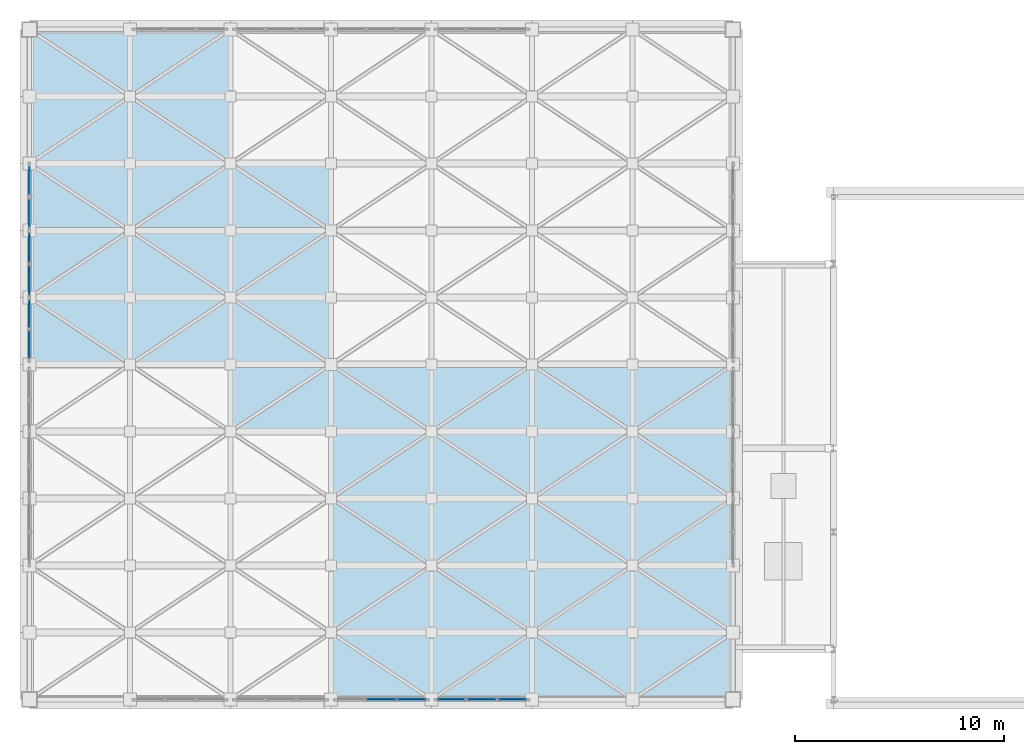
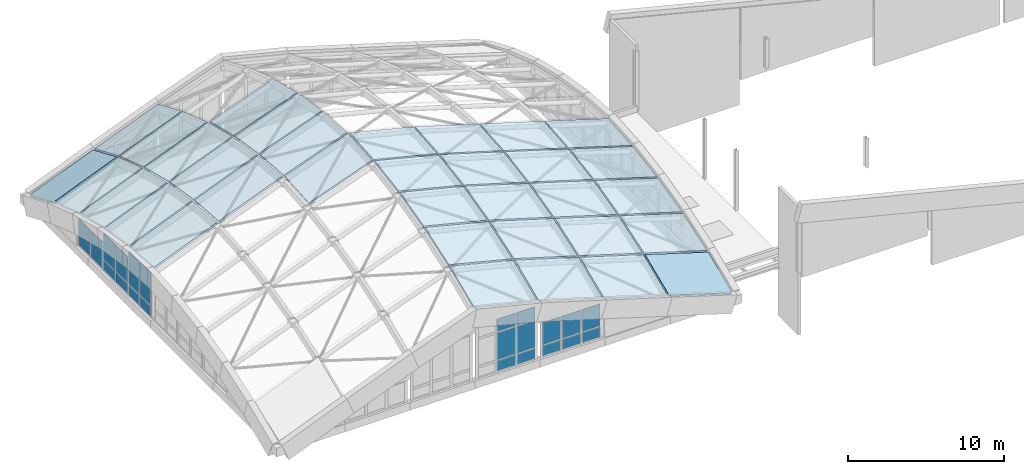
# One storey, part 10 of 14: 34 slabs, 22 plates, 5 elements without a shape of their own.
"""IFC4 building model written with IfcOpenShell, lengths in metres."""

from ifc_helpers import new_model, si_unit, direction, frame, origin, origin_2d, place, context, subcontext, project, spatial, polyline, rectangle, outline, extrude, material, layer, layer_set, type_object, element, aggregate, save


model = new_model("IFC4")

# Units and contexts
model_context = context("Model", 3, precision=1e-05, world=origin(), true_north=direction((0.0, 1.0)))
body_context = subcontext(model_context, "Body", "Model", "MODEL_VIEW")
ifc_project = project(units=[si_unit("LENGTHUNIT", "METRE"), si_unit("AREAUNIT", "SQUARE_METRE"), si_unit("VOLUMEUNIT", "CUBIC_METRE"), si_unit("PLANEANGLEUNIT", "RADIAN"), si_unit("MASSUNIT", "GRAM", prefix="KILO")], contexts=[model_context])

# Site, building, storey
site_placement = place(None, origin())
site = spatial("IfcSite", under=ifc_project, at=site_placement, CompositionType="ELEMENT")
building_placement = place(site_placement, origin())
building = spatial("IfcBuilding", under=site, at=building_placement, Name="Dunescarp Central Library", CompositionType="ELEMENT")
storey_placement = place(building_placement, frame((0.0, 0.0, 31.800048828125)))
storey = spatial("IfcBuildingStorey", under=building, at=storey_placement, Name="ROOF", CompositionType="ELEMENT", Elevation=31.800048828125)

# Curtain wall, plates
ifc_material_1 = material(Name="Marine-grade anodised aluminium 6063-T6", Category="aluminium")
curtain_wall_type = type_object("IfcCurtainWallType", Name="ARC-CW-CROWN", PredefinedType="NOTDEFINED", material=ifc_material_1)
curtain_wall_1_placement = place(storey_placement, origin())
curtain_wall_1 = element("IfcCurtainWall", 1, at=curtain_wall_1_placement, inside=storey, type_object=curtain_wall_type, Name="ROOF curtain wall CW-CROWN-S4", PredefinedType="NOTDEFINED")
ifc_material_2 = material(Name="Solar-control laminated double glazing", Category="glass")
ifc_layer_1 = layer(ifc_material_2, 0.031982421875)
ifc_layer_set_1 = layer_set([ifc_layer_1], Name="Solar-control laminated double glazing")
plate_type_1 = type_object("IfcPlateType", Name="ARC-PLT-GLZ32", PredefinedType="CURTAIN_PANEL", material=ifc_layer_set_1)
plate_1_placement = place(storey_placement, frame((18.2607421875, 4.800048828125, 0.93994140625), z_axis=(0.0, 0.0, 1.0), x_axis=(-1.0, 0.0, 0.0)))
plate_1 = element("IfcPlate", 2, at=plate_1_placement, type_object=plate_type_1, Name="CW-CROWN-S4 panel 1.2", PredefinedType="CURTAIN_PANEL", context=body_context, shape_type="SweptSolid", body=[
    extrude(rectangle(XDim=1.348388671875, YDim=0.031982421875, at=origin_2d()), origin(), (0.0, 0.0, 1.0), 2.1201171875),
])
plate_2_placement = place(storey_placement, frame((18.2607421875, 4.800048828125, 3.139892578125), z_axis=(0.0, 0.0, 1.0), x_axis=(-1.0, 0.0, 0.0)))
plate_2 = element("IfcPlate", 3, at=plate_2_placement, type_object=plate_type_1, Name="CW-CROWN-S4 panel 1.3", PredefinedType="CURTAIN_PANEL", context=body_context, shape_type="SweptSolid", body=[
    extrude(rectangle(XDim=1.348388671875, YDim=0.031982421875, at=origin_2d()), origin(), (0.0, 0.0, 1.0), 0.97998046875),
])
plate_3_placement = place(storey_placement, frame((16.800048828125, 4.800048828125, 0.93994140625), z_axis=(0.0, 0.0, 1.0), x_axis=(-1.0, 0.0, 0.0)))
plate_3 = element("IfcPlate", 4, at=plate_3_placement, type_object=plate_type_1, Name="CW-CROWN-S4 panel 2.2", PredefinedType="CURTAIN_PANEL", context=body_context, shape_type="SweptSolid", body=[
    extrude(rectangle(XDim=1.393310546875, YDim=0.031982421875, at=origin_2d()), origin(), (0.0, 0.0, 1.0), 2.1201171875),
])
plate_4_placement = place(storey_placement, frame((16.800048828125, 4.800048828125, 3.139892578125), z_axis=(0.0, 0.0, 1.0), x_axis=(-1.0, 0.0, 0.0)))
plate_4 = element("IfcPlate", 5, at=plate_4_placement, type_object=plate_type_1, Name="CW-CROWN-S4 panel 2.3", PredefinedType="CURTAIN_PANEL", context=body_context, shape_type="SweptSolid", body=[
    extrude(rectangle(XDim=1.393310546875, YDim=0.031982421875, at=origin_2d()), origin(), (0.0, 0.0, 1.0), 0.97998046875),
])

curtain_wall_2_placement = place(storey_placement, origin())
curtain_wall_2 = element("IfcCurtainWall", 6, at=curtain_wall_2_placement, inside=storey, type_object=curtain_wall_type, Name="ROOF curtain wall CW-CROWN-S5", PredefinedType="NOTDEFINED")
plate_5_placement = place(storey_placement, frame((23.060791015625, 4.800048828125, 0.93994140625), z_axis=(0.0, 0.0, 1.0), x_axis=(-1.0, 0.0, 0.0)))
plate_5 = element("IfcPlate", 7, at=plate_5_placement, type_object=plate_type_1, Name="CW-CROWN-S5 panel 1.2", PredefinedType="CURTAIN_PANEL", context=body_context, shape_type="SweptSolid", body=[
    extrude(rectangle(XDim=1.348388671875, YDim=0.031982421875, at=origin_2d()), origin(), (0.0, 0.0, 1.0), 1.72998046875),
])
plate_6_placement = place(storey_placement, frame((21.60009765625, 4.800048828125, 0.93994140625), z_axis=(0.0, 0.0, 1.0), x_axis=(-1.0, 0.0, 0.0)))
plate_6 = element("IfcPlate", 8, at=plate_6_placement, type_object=plate_type_1, Name="CW-CROWN-S5 panel 2.2", PredefinedType="CURTAIN_PANEL", context=body_context, shape_type="SweptSolid", body=[
    extrude(rectangle(XDim=1.393310546875, YDim=0.031982421875, at=origin_2d()), origin(), (0.0, 0.0, 1.0), 1.72998046875),
])
plate_7_placement = place(storey_placement, frame((20.13916015625, 4.800048828125, 0.93994140625), z_axis=(0.0, 0.0, 1.0), x_axis=(-1.0, 0.0, 0.0)))
plate_7 = element("IfcPlate", 9, at=plate_7_placement, type_object=plate_type_1, Name="CW-CROWN-S5 panel 3.2", PredefinedType="CURTAIN_PANEL", context=body_context, shape_type="SweptSolid", body=[
    extrude(rectangle(XDim=1.348388671875, YDim=0.031982421875, at=origin_2d()), origin(), (0.0, 0.0, 1.0), 1.72998046875),
])

curtain_wall_3_placement = place(storey_placement, origin())
curtain_wall_3 = element("IfcCurtainWall", 10, at=curtain_wall_3_placement, inside=storey, type_object=curtain_wall_type, Name="ROOF curtain wall CW-CROWN-W6", PredefinedType="NOTDEFINED")
plate_8_placement = place(storey_placement, frame((0.0, 21.753662109375, 0.93994140625), z_axis=(0.0, 0.0, 1.0), x_axis=(0.0, 1.0, 0.0)))
plate_8 = element("IfcPlate", 11, at=plate_8_placement, type_object=plate_type_1, Name="CW-CROWN-W6 panel 1.2", PredefinedType="CURTAIN_PANEL", context=body_context, shape_type="SweptSolid", body=[
    extrude(rectangle(XDim=1.37744140625, YDim=0.031982421875, at=origin_2d()), origin(), (0.0, 0.0, 1.0), 2.5400390625),
])
plate_9_placement = place(storey_placement, frame((0.0, 23.22119140625, 0.93994140625), z_axis=(0.0, 0.0, 1.0), x_axis=(0.0, 1.0, 0.0)))
plate_9 = element("IfcPlate", 12, at=plate_9_placement, type_object=plate_type_1, Name="CW-CROWN-W6 panel 2.2", PredefinedType="CURTAIN_PANEL", context=body_context, shape_type="SweptSolid", body=[
    extrude(rectangle(XDim=1.37744140625, YDim=0.031982421875, at=origin_2d()), origin(), (0.0, 0.0, 1.0), 2.5400390625),
])

curtain_wall_4_placement = place(storey_placement, origin())
curtain_wall_4 = element("IfcCurtainWall", 13, at=curtain_wall_4_placement, inside=storey, type_object=curtain_wall_type, Name="ROOF curtain wall CW-CROWN-W7", PredefinedType="NOTDEFINED")
plate_10_placement = place(storey_placement, frame((0.0, 24.822509765625, 0.93994140625), z_axis=(0.0, 0.0, 1.0), x_axis=(0.0, 1.0, 0.0)))
plate_10 = element("IfcPlate", 14, at=plate_10_placement, type_object=plate_type_1, Name="CW-CROWN-W7 panel 1.2", PredefinedType="CURTAIN_PANEL", context=body_context, shape_type="SweptSolid", body=[
    extrude(rectangle(XDim=1.465087890625, YDim=0.031982421875, at=origin_2d()), origin(), (0.0, 0.0, 1.0), 2.02001953125),
])
plate_11_placement = place(storey_placement, frame((0.0, 26.37744140625, 0.93994140625), z_axis=(0.0, 0.0, 1.0), x_axis=(0.0, 1.0, 0.0)))
plate_11 = element("IfcPlate", 15, at=plate_11_placement, type_object=plate_type_1, Name="CW-CROWN-W7 panel 2.2", PredefinedType="CURTAIN_PANEL", context=body_context, shape_type="SweptSolid", body=[
    extrude(rectangle(XDim=1.465087890625, YDim=0.031982421875, at=origin_2d()), origin(), (0.0, 0.0, 1.0), 2.02001953125),
])

curtain_wall_5_placement = place(storey_placement, origin())
curtain_wall_5 = element("IfcCurtainWall", 16, at=curtain_wall_5_placement, inside=storey, type_object=curtain_wall_type, Name="ROOF curtain wall CW-CROWN-W8", PredefinedType="NOTDEFINED")
plate_12_placement = place(storey_placement, frame((0.0, 28.0224609375, 0.079833984375), z_axis=(0.0, 0.0, 1.0), x_axis=(0.0, 1.0, 0.0)))
plate_12 = element("IfcPlate", 17, at=plate_12_placement, type_object=plate_type_1, Name="CW-CROWN-W8 panel 1.1", PredefinedType="CURTAIN_PANEL", context=body_context, shape_type="SweptSolid", body=[
    extrude(rectangle(XDim=1.465087890625, YDim=0.031982421875, at=origin_2d()), origin(), (0.0, 0.0, 1.0), 2.080078125),
])
plate_13_placement = place(storey_placement, frame((0.0, 29.577392578125, 0.079833984375), z_axis=(0.0, 0.0, 1.0), x_axis=(0.0, 1.0, 0.0)))
plate_13 = element("IfcPlate", 18, at=plate_13_placement, type_object=plate_type_1, Name="CW-CROWN-W8 panel 2.1", PredefinedType="CURTAIN_PANEL", context=body_context, shape_type="SweptSolid", body=[
    extrude(rectangle(XDim=1.465087890625, YDim=0.031982421875, at=origin_2d()), origin(), (0.0, 0.0, 1.0), 2.080078125),
])
aggregate(curtain_wall_5, [plate_12, plate_13])

# Plate
ifc_layer_2 = layer(ifc_material_1, 0.050048828125)
ifc_layer_set_2 = layer_set([ifc_layer_2], Name="Marine-grade anodised aluminium 6063-T6")
plate_type_2 = type_object("IfcPlateType", Name="ARC-PLT-SPN50", PredefinedType="SHEET", material=ifc_layer_set_2)
plate_14_placement = place(storey_placement, frame((18.2607421875, 4.800048828125, 0.080078125), z_axis=(0.0, 0.0, 1.0), x_axis=(-1.0, 0.0, 0.0)))
plate_14 = element("IfcPlate", 19, at=plate_14_placement, type_object=plate_type_2, Name="CW-CROWN-S4 panel 1.1", PredefinedType="SHEET", context=body_context, shape_type="SweptSolid", body=[
    extrude(rectangle(XDim=1.348388671875, YDim=0.050048828125, at=origin_2d()), origin(), (0.0, 0.0, 1.0), 0.780029296875),
])

plate_15_placement = place(storey_placement, frame((16.800048828125, 4.800048828125, 0.080078125), z_axis=(0.0, 0.0, 1.0), x_axis=(-1.0, 0.0, 0.0)))
plate_15 = element("IfcPlate", 20, at=plate_15_placement, type_object=plate_type_2, Name="CW-CROWN-S4 panel 2.1", PredefinedType="SHEET", context=body_context, shape_type="SweptSolid", body=[
    extrude(rectangle(XDim=1.393310546875, YDim=0.050048828125, at=origin_2d()), origin(), (0.0, 0.0, 1.0), 0.780029296875),
])

aggregate(curtain_wall_1, [plate_14, plate_1, plate_2, plate_15, plate_3, plate_4])

plate_16_placement = place(storey_placement, frame((23.060791015625, 4.800048828125, 0.080078125), z_axis=(0.0, 0.0, 1.0), x_axis=(-1.0, 0.0, 0.0)))
plate_16 = element("IfcPlate", 21, at=plate_16_placement, type_object=plate_type_2, Name="CW-CROWN-S5 panel 1.1", PredefinedType="SHEET", context=body_context, shape_type="SweptSolid", body=[
    extrude(rectangle(XDim=1.348388671875, YDim=0.050048828125, at=origin_2d()), origin(), (0.0, 0.0, 1.0), 0.780029296875),
])

plate_17_placement = place(storey_placement, frame((21.60009765625, 4.800048828125, 0.080078125), z_axis=(0.0, 0.0, 1.0), x_axis=(-1.0, 0.0, 0.0)))
plate_17 = element("IfcPlate", 22, at=plate_17_placement, type_object=plate_type_2, Name="CW-CROWN-S5 panel 2.1", PredefinedType="SHEET", context=body_context, shape_type="SweptSolid", body=[
    extrude(rectangle(XDim=1.393310546875, YDim=0.050048828125, at=origin_2d()), origin(), (0.0, 0.0, 1.0), 0.780029296875),
])

plate_18_placement = place(storey_placement, frame((20.13916015625, 4.800048828125, 0.080078125), z_axis=(0.0, 0.0, 1.0), x_axis=(-1.0, 0.0, 0.0)))
plate_18 = element("IfcPlate", 23, at=plate_18_placement, type_object=plate_type_2, Name="CW-CROWN-S5 panel 3.1", PredefinedType="SHEET", context=body_context, shape_type="SweptSolid", body=[
    extrude(rectangle(XDim=1.348388671875, YDim=0.050048828125, at=origin_2d()), origin(), (0.0, 0.0, 1.0), 0.780029296875),
])

aggregate(curtain_wall_2, [plate_16, plate_5, plate_17, plate_6, plate_18, plate_7])

plate_19_placement = place(storey_placement, frame((0.0, 21.753662109375, 0.080078125), z_axis=(0.0, 0.0, 1.0), x_axis=(0.0, 1.0, 0.0)))
plate_19 = element("IfcPlate", 24, at=plate_19_placement, type_object=plate_type_2, Name="CW-CROWN-W6 panel 1.1", PredefinedType="SHEET", context=body_context, shape_type="SweptSolid", body=[
    extrude(rectangle(XDim=1.37744140625, YDim=0.050048828125, at=origin_2d()), origin(), (0.0, 0.0, 1.0), 0.780029296875),
])

plate_20_placement = place(storey_placement, frame((0.0, 23.22119140625, 0.080078125), z_axis=(0.0, 0.0, 1.0), x_axis=(0.0, 1.0, 0.0)))
plate_20 = element("IfcPlate", 25, at=plate_20_placement, type_object=plate_type_2, Name="CW-CROWN-W6 panel 2.1", PredefinedType="SHEET", context=body_context, shape_type="SweptSolid", body=[
    extrude(rectangle(XDim=1.37744140625, YDim=0.050048828125, at=origin_2d()), origin(), (0.0, 0.0, 1.0), 0.780029296875),
])

aggregate(curtain_wall_3, [plate_19, plate_8, plate_20, plate_9])

plate_21_placement = place(storey_placement, frame((0.0, 24.822509765625, 0.080078125), z_axis=(0.0, 0.0, 1.0), x_axis=(0.0, 1.0, 0.0)))
plate_21 = element("IfcPlate", 26, at=plate_21_placement, type_object=plate_type_2, Name="CW-CROWN-W7 panel 1.1", PredefinedType="SHEET", context=body_context, shape_type="SweptSolid", body=[
    extrude(rectangle(XDim=1.465087890625, YDim=0.050048828125, at=origin_2d()), origin(), (0.0, 0.0, 1.0), 0.780029296875),
])

plate_22_placement = place(storey_placement, frame((0.0, 26.37744140625, 0.080078125), z_axis=(0.0, 0.0, 1.0), x_axis=(0.0, 1.0, 0.0)))
plate_22 = element("IfcPlate", 27, at=plate_22_placement, type_object=plate_type_2, Name="CW-CROWN-W7 panel 2.1", PredefinedType="SHEET", context=body_context, shape_type="SweptSolid", body=[
    extrude(rectangle(XDim=1.465087890625, YDim=0.050048828125, at=origin_2d()), origin(), (0.0, 0.0, 1.0), 0.780029296875),
])

aggregate(curtain_wall_4, [plate_21, plate_10, plate_22, plate_11])

# Slabs
ifc_material_3 = material(Name="Concrete C35/45", Category="concrete")
ifc_layer_3 = layer(ifc_material_3, 0.159912109375)
ifc_layer_set_3 = layer_set([ifc_layer_3], Name="Concrete C35/45")
slab_type = type_object("IfcSlabType", Name="STR-SLB-GSCASS160", PredefinedType="ROOF", material=ifc_layer_set_3)
slab_1_placement = place(storey_placement, frame((0.06494140625, 20.864990234375, 4.02197265625), z_axis=(-0.375418220277, 0.069529601064, 0.924243904205), x_axis=(0.926486103583, 0.0, 0.376328978245)))
element("IfcSlab", 28, at=slab_1_placement, inside=storey, type_object=slab_type, Name="Gridshell planar roof cassette GS-CASS-005", PredefinedType="ROOF", context=body_context, shape_type="SweptSolid", body=[
    extrude(outline(polyline([(0.0, 0.0), (5.040729696389092, -1.3877787807814457e-17), (4.9538138728003425, 3.0775162909608147), (-0.08691582358874982, 3.0775162909608147), (0.0, 0.0)])), origin(), (0.0, 0.0, -1.0), 0.159912109375),
])
slab_2_placement = place(storey_placement, frame((0.06494140625, 24.06494140625, 3.77587890625), z_axis=(-0.372155487194, 0.148879320331, 0.916152411626), x_axis=(0.926477847068, 3.303077e-06, 0.376349304346)))
element("IfcSlab", 29, at=slab_2_placement, inside=storey, type_object=slab_type, Name="Gridshell planar roof cassette GS-CASS-006", PredefinedType="ROOF", context=body_context, shape_type="SweptSolid", body=[
    extrude(outline(polyline([(0.0, 0.0), (5.040729695148491, 0.0), (4.8530245944209, 3.1046525249825296), (-0.1877969828819723, 3.1046862004272153), (0.0, 0.0)])), origin(), (0.0, 0.0, -1.0), 0.159912109375),
])
slab_3_placement = place(storey_placement, frame((0.06494140625, 27.264892578125, 3.25), z_axis=(-0.366633449215, 0.225528545971, 0.902616634496), x_axis=(0.926486103583, 0.0, 0.376328978245)))
element("IfcSlab", 30, at=slab_3_placement, inside=storey, type_object=slab_type, Name="Gridshell planar roof cassette GS-CASS-007", PredefinedType="ROOF", context=body_context, shape_type="SweptSolid", body=[
    extrude(outline(polyline([(0.0, 0.0), (5.040729696389092, 0.0), (4.752051559268741, 3.1512555422828896), (-0.2886781371203509, 3.1512555422828896), (0.0, 0.0)])), origin(), (0.0, 0.0, -1.0), 0.159912109375),
])
slab_4_placement = place(storey_placement, frame((0.06494140625, 30.465087890625, 2.44384765625), z_axis=(-0.359361995542, 0.298402663999, 0.884202921438), x_axis=(0.926409347198, -6.388983e-06, 0.376517889859)))
element("IfcSlab", 31, at=slab_4_placement, inside=storey, type_object=slab_type, Name="Gridshell planar roof cassette GS-CASS-008", PredefinedType="ROOF", context=body_context, shape_type="SweptSolid", body=[
    extrude(outline(polyline([(0.0, 0.0), (5.041189208056378, 0.0), (4.651047054826944, 3.2163925487705574), (-0.3900502299164788, 3.216325058360108), (0.0, 0.0)])), origin(), (0.0, 0.0, -1.0), 0.159912109375),
])
slab_5_placement = place(storey_placement, frame((0.06494140625, 33.6650390625, 1.35888671875), z_axis=(-0.350155966815, 0.366414368357, 0.862050642112), x_axis=(0.926486103583, 0.0, 0.376328978245)))
element("IfcSlab", 32, at=slab_5_placement, inside=storey, type_object=slab_type, Name="Gridshell planar roof cassette GS-CASS-009", PredefinedType="ROOF", context=body_context, shape_type="SweptSolid", body=[
    extrude(outline(polyline([(0.0, 0.0), (5.040729696389092, 0.0), (4.54964610539346, 3.2995459118785715), (-0.49108359099563187, 3.2995459118785715), (0.0, 0.0)])), origin(), (0.0, 0.0, -1.0), 0.159912109375),
])
slab_6_placement = place(storey_placement, frame((4.864990234375, 20.864990234375, 5.970947265625), z_axis=(-0.36705400805, 0.069487060096, 0.927600616458), x_axis=(0.929848196293, 0.0, 0.367943381312)))
element("IfcSlab", 33, at=slab_6_placement, inside=storey, type_object=slab_type, Name="Gridshell planar roof cassette GS-CASS-105", PredefinedType="ROOF", context=body_context, shape_type="SweptSolid", body=[
    extrude(outline(polyline([(0.0, 0.0), (5.022241150350663, 1.3877787807814457e-17), (4.937621359043037, 3.0775071467278563), (-0.08461979130762622, 3.0775071467278563), (0.0, 0.0)])), origin(), (0.0, 0.0, -1.0), 0.159912109375),
])
slab_7_placement = place(storey_placement, frame((4.864990234375, 24.06494140625, 5.724853515625), z_axis=(-0.364019905973, 0.14943154723, 0.919325688071), x_axis=(0.929765021699, 0.0, 0.368153506605)))
element("IfcSlab", 34, at=slab_7_placement, inside=storey, type_object=slab_type, Name="Gridshell planar roof cassette GS-CASS-106", PredefinedType="ROOF", context=body_context, shape_type="SweptSolid", body=[
    extrude(outline(polyline([(0.0, 0.0), (5.0226904282420906, 0.0), (4.838973199848255, 3.104930289459186), (-0.18371722839383575, 3.1049302894591864), (0.0, 0.0)])), origin(), (0.0, 0.0, -1.0), 0.159912109375),
])
slab_8_placement = place(storey_placement, frame((4.864990234375, 27.264892578125, 5.198974609375), z_axis=(-0.358586237919, 0.226253664296, 0.905662845306), x_axis=(0.92977376646, 4.980163e-06, 0.368131421068)))
element("IfcSlab", 35, at=slab_8_placement, inside=storey, type_object=slab_type, Name="Gridshell planar roof cassette GS-CASS-107", PredefinedType="ROOF", context=body_context, shape_type="SweptSolid", body=[
    extrude(outline(polyline([(0.0, 0.0), (5.022600550927576, -5.551115123125783e-17), (4.740315841938206, 3.151775276647315), (-0.2823745848245917, 3.151826635657922), (0.0, 0.0)])), origin(), (0.0, 0.0, -1.0), 0.159912109375),
])
slab_9_placement = place(storey_placement, frame((4.864990234375, 30.465087890625, 4.39404296875), z_axis=(-0.351084030731, 0.299408548643, 0.887183478411), x_axis=(0.929840625792, 6.456396e-06, 0.367962512473)))
element("IfcSlab", 36, at=slab_9_placement, inside=storey, type_object=slab_type, Name="Gridshell planar roof cassette GS-CASS-108", PredefinedType="ROOF", context=body_context, shape_type="SweptSolid", body=[
    extrude(outline(polyline([(0.0, 0.0), (5.022241149182994, 1.1102230246251565e-16), (4.6410927708370835, 3.217392107981036), (-0.38123821294368276, 3.217460077829419), (0.0, 0.0)])), origin(), (0.0, 0.0, -1.0), 0.159912109375),
])
slab_10_placement = place(storey_placement, frame((4.864990234375, 33.6650390625, 3.307861328125), z_axis=(-0.342386148586, 0.367536237312, 0.864690025107), x_axis=(0.929765021699, 0.0, 0.368153506605)))
element("IfcSlab", 37, at=slab_10_placement, inside=storey, type_object=slab_type, Name="Gridshell planar roof cassette GS-CASS-109", PredefinedType="ROOF", context=body_context, shape_type="SweptSolid", body=[
    extrude(outline(polyline([(0.0, 0.0), (5.0226904282420906, 0.0), (4.542275268865842, 3.3011161131625246), (-0.4804151593762486, 3.301116113162524), (0.0, 0.0)])), origin(), (0.0, 0.0, -1.0), 0.159912109375),
])
slab_11_placement = place(storey_placement, frame((9.6650390625, 17.6650390625, 7.638916015625), z_axis=(-0.341607819443, -0.070207401111, 0.937216633722), x_axis=(0.93953501536, 0.0, 0.342452850642)))
element("IfcSlab", 38, at=slab_11_placement, inside=storey, type_object=slab_type, Name="Gridshell planar roof cassette GS-CASS-204", PredefinedType="ROOF", context=body_context, shape_type="SweptSolid", body=[
    extrude(outline(polyline([(0.0, 0.0), (4.970460705194963, 1.3877787807814457e-17), (5.049218172310473, 3.0776627509549392), (0.07875746711551063, 3.0776627509549392), (0.0, 0.0)])), origin(), (0.0, 0.0, -1.0), 0.159912109375),
])
slab_12_placement = place(storey_placement, frame((9.6650390625, 20.864990234375, 7.868896484375), z_axis=(-0.341607819443, 0.070207401111, 0.937216633722), x_axis=(0.93953501536, 0.0, 0.342452850642)))
element("IfcSlab", 39, at=slab_12_placement, inside=storey, type_object=slab_type, Name="Gridshell planar roof cassette GS-CASS-205", PredefinedType="ROOF", context=body_context, shape_type="SweptSolid", body=[
    extrude(outline(polyline([(0.0, 0.0), (4.970460705194963, -1.3877787807814457e-17), (4.891703238079452, 3.0776627509549397), (-0.07875746711551063, 3.0776627509549392), (0.0, 0.0)])), origin(), (0.0, 0.0, -1.0), 0.159912109375),
])
slab_13_placement = place(storey_placement, frame((9.6650390625, 24.06494140625, 7.623046875), z_axis=(-0.338656937339, 0.150958727182, 0.928721132246), x_axis=(0.939487597825, 0.0, 0.342582914828)))
element("IfcSlab", 40, at=slab_13_placement, inside=storey, type_object=slab_type, Name="Gridshell planar roof cassette GS-CASS-206", PredefinedType="ROOF", context=body_context, shape_type="SweptSolid", body=[
    extrude(outline(polyline([(0.0, 0.0), (4.970711572786059, 2.7755575615628914e-17), (4.799754668999753, 3.1056590056633104), (-0.17095690378630654, 3.1056590056633104), (0.0, 0.0)])), origin(), (0.0, 0.0, -1.0), 0.159912109375),
])
slab_14_placement = place(storey_placement, frame((9.6650390625, 27.264892578125, 7.096923828125), z_axis=(-0.333559658497, 0.228525568859, 0.914611403057), x_axis=(0.939471789044, 0.0, 0.34262626518)))
element("IfcSlab", 41, at=slab_14_placement, inside=storey, type_object=slab_type, Name="Gridshell planar roof cassette GS-CASS-207", PredefinedType="ROOF", context=body_context, shape_type="SweptSolid", body=[
    extrude(outline(polyline([(0.0, 0.0), (4.970795216484836, 5.551115123125783e-17), (4.70797008826308, 3.1535170067077685), (-0.2628251282217562, 3.1535170067077685), (0.0, 0.0)])), origin(), (0.0, 0.0, -1.0), 0.159912109375),
])
slab_15_placement = place(storey_placement, frame((14.465087890625, 4.864990234375, 5.61083984375), z_axis=(0.224125294848, -0.381288319432, 0.896876284486), x_axis=(0.97016636354, 0.0, -0.242440151491)))
element("IfcSlab", 42, at=slab_15_placement, inside=storey, type_object=slab_type, Name="Gridshell planar roof cassette GS-CASS-300", PredefinedType="ROOF", context=body_context, shape_type="SweptSolid", body=[
    extrude(outline(polyline([(0.0, 0.0), (4.813526886212391, 0.0), (4.4970998720835755, 3.320945271444047), (-0.316427014128815, 3.320945271444047), (0.0, 0.0)])), origin(), (0.0, 0.0, -1.0), 0.159912109375),
])
slab_16_placement = place(storey_placement, frame((14.465087890625, 8.06494140625, 6.966064453125), z_axis=(0.230611967812, -0.311122241186, 0.921965873198), x_axis=(0.970112081492, -7.273875e-06, -0.242657267128)))
element("IfcSlab", 43, at=slab_16_placement, inside=storey, type_object=slab_type, Name="Gridshell planar roof cassette GS-CASS-301", PredefinedType="ROOF", context=body_context, shape_type="SweptSolid", body=[
    extrude(outline(polyline([(0.0, 0.0), (4.813822978024809, 0.0), (4.562375490067454, 3.230428003300538), (-0.2513882454604982, 3.230354316345569), (0.0, 0.0)])), origin(), (0.0, 0.0, -1.0), 0.159912109375),
])
slab_17_placement = place(storey_placement, frame((14.465087890625, 11.264892578125, 8.0400390625), z_axis=(0.235790150223, -0.235785290089, 0.94276630298), x_axis=(0.97011862853, 0.0, -0.242631091535)))
element("IfcSlab", 44, at=slab_17_placement, inside=storey, type_object=slab_type, Name="Gridshell planar roof cassette GS-CASS-302", PredefinedType="ROOF", context=body_context, shape_type="SweptSolid", body=[
    extrude(outline(polyline([(0.0, 0.0), (4.813763737407569, 0.0), (4.627466182993906, 3.1591397538007877), (-0.186297554413662, 3.1591397538007877), (0.0, 0.0)])), origin(), (0.0, 0.0, -1.0), 0.159912109375),
])
slab_18_placement = place(storey_placement, frame((14.465087890625, 14.465087890625, 8.833984375), z_axis=(0.239480289253, -0.155782574198, 0.958321960844), x_axis=(0.97016636354, 0.0, -0.242440151491)))
element("IfcSlab", 45, at=slab_18_placement, inside=storey, type_object=slab_type, Name="Gridshell planar roof cassette GS-CASS-303", PredefinedType="ROOF", context=body_context, shape_type="SweptSolid", body=[
    extrude(outline(polyline([(0.0, 0.0), (4.813526886212391, 0.0), (4.692543568427262, 3.107765783004901), (-0.12098331778512868, 3.1077657830049015), (0.0, 0.0)])), origin(), (0.0, 0.0, -1.0), 0.159912109375),
])
slab_19_placement = place(storey_placement, frame((14.465087890625, 17.6650390625, 9.348876953125), z_axis=(0.241992922241, -0.072480964728, 0.967567018525), x_axis=(0.97011862853, 0.0, -0.242631091535)))
element("IfcSlab", 46, at=slab_19_placement, inside=storey, type_object=slab_type, Name="Gridshell planar roof cassette GS-CASS-304", PredefinedType="ROOF", context=body_context, shape_type="SweptSolid", body=[
    extrude(outline(polyline([(0.0, 0.0), (4.813763737407569, 0.0), (4.757963325242968, 3.078164560455506), (-0.05580041216460083, 3.078164560455506), (0.0, 0.0)])), origin(), (0.0, 0.0, -1.0), 0.159912109375),
])
slab_20_placement = place(storey_placement, frame((19.264892578125, 4.864990234375, 4.407958984375), z_axis=(0.267872322134, -0.376883505746, 0.886681026148), x_axis=(0.957269435924, 0.0, -0.289197557123)))
element("IfcSlab", 47, at=slab_20_placement, inside=storey, type_object=slab_type, Name="Gridshell planar roof cassette GS-CASS-400", PredefinedType="ROOF", context=body_context, shape_type="SweptSolid", body=[
    extrude(outline(polyline([(0.0, 0.0), (4.878632744727143, 0.0), (4.501249702045982, 3.3144755779816015), (-0.3773830426811607, 3.3144755779816015), (0.0, 0.0)])), origin(), (0.0, 0.0, -1.0), 0.159912109375),
])
slab_21_placement = place(storey_placement, frame((19.264892578125, 8.06494140625, 5.761962890625), z_axis=(0.27502219617, -0.307378199549, 0.910978284075), x_axis=(0.957324836988, 0.0, -0.289014111224)))
element("IfcSlab", 48, at=slab_21_placement, inside=storey, type_object=slab_type, Name="Gridshell planar roof cassette GS-CASS-401", PredefinedType="ROOF", context=body_context, shape_type="SweptSolid", body=[
    extrude(outline(polyline([(0.0, 0.0), (4.878350414808366, 5.551115123125783e-17), (4.578963970979418, 3.2262598824344444), (-0.29938644382894775, 3.2262598824344444), (0.0, 0.0)])), origin(), (0.0, 0.0, -1.0), 0.159912109375),
])
slab_22_placement = place(storey_placement, frame((19.264892578125, 11.264892578125, 6.8369140625), z_axis=(0.281288854101, -0.232586012578, 0.931010379809), x_axis=(0.957262883503, 5.418138e-06, -0.289219245275)))
element("IfcSlab", 49, at=slab_22_placement, inside=storey, type_object=slab_type, Name="Gridshell planar roof cassette GS-CASS-402", PredefinedType="ROOF", context=body_context, shape_type="SweptSolid", body=[
    extrude(outline(polyline([(0.0, 0.0), (4.878632743403408, 0.0), (4.656862841956743, 3.156610549550433), (-0.2218405116139688, 3.156664906845629), (0.0, 0.0)])), origin(), (0.0, 0.0, -1.0), 0.159912109375),
])
slab_23_placement = place(storey_placement, frame((19.264892578125, 14.465087890625, 7.630859375), z_axis=(0.285758441443, -0.153760958172, 0.94588565952), x_axis=(0.957269435924, 0.0, -0.289197557123)))
element("IfcSlab", 50, at=slab_23_placement, inside=storey, type_object=slab_type, Name="Gridshell planar roof cassette GS-CASS-403", PredefinedType="ROOF", context=body_context, shape_type="SweptSolid", body=[
    extrude(outline(polyline([(0.0, 0.0), (4.878632744727143, 0.0), (4.734316385655058, 3.1067696911265483), (-0.14431635907208465, 3.1067696911265483), (0.0, 0.0)])), origin(), (0.0, 0.0, -1.0), 0.159912109375),
])
slab_24_placement = place(storey_placement, frame((19.264892578125, 17.6650390625, 8.14501953125), z_axis=(0.288319554696, -0.071528989575, 0.954858857649), x_axis=(0.957310989416, 0.0, -0.289059975684)))
element("IfcSlab", 51, at=slab_24_placement, inside=storey, type_object=slab_type, Name="Gridshell planar roof cassette GS-CASS-404", PredefinedType="ROOF", context=body_context, shape_type="SweptSolid", body=[
    extrude(outline(polyline([(0.0, 0.0), (4.878420980492843, -1.3877787807814457e-17), (4.811942831788058, 3.077952469253994), (-0.06647814870478416, 3.0779524692539937), (0.0, 0.0)])), origin(), (0.0, 0.0, -1.0), 0.159912109375),
])
slab_25_placement = place(storey_placement, frame((24.06494140625, 4.864990234375, 2.9580078125), z_axis=(0.271270135983, -0.376302578314, 0.885894397136), x_axis=(0.956175405867, -8.331664e-06, -0.292794455455)))
element("IfcSlab", 52, at=slab_25_placement, inside=storey, type_object=slab_type, Name="Gridshell planar roof cassette GS-CASS-500", PredefinedType="ROOF", context=body_context, shape_type="SweptSolid", body=[
    extrude(outline(polyline([(0.0, 0.0), (4.884245424533678, 0.0), (4.50235754569824, 3.31367122233447), (-0.38181639581408616, 3.3135833783377864), (0.0, 0.0)])), origin(), (0.0, 0.0, -1.0), 0.159912109375),
])
slab_26_placement = place(storey_placement, frame((24.06494140625, 8.06494140625, 4.31201171875), z_axis=(0.27864491511, -0.307077011143, 0.909978417607), x_axis=(0.956175736887, -6.983787e-06, -0.29279337448)))
element("IfcSlab", 53, at=slab_26_placement, inside=storey, type_object=slab_type, Name="Gridshell planar roof cassette GS-CASS-501", PredefinedType="ROOF", context=body_context, shape_type="SweptSolid", body=[
    extrude(outline(polyline([(0.0, 0.0), (4.8842454244677, -5.551115123125783e-17), (4.580851161183239, 3.22596386294727), (-0.3033227805270202, 3.225892178952785), (0.0, 0.0)])), origin(), (0.0, 0.0, -1.0), 0.159912109375),
])
slab_27_placement = place(storey_placement, frame((24.06494140625, 11.264892578125, 5.385986328125), z_axis=(0.284759549777, -0.232616203457, 0.929947149412), x_axis=(0.956176775297, 5.406512e-06, -0.292789983356)))
element("IfcSlab", 54, at=slab_27_placement, inside=storey, type_object=slab_type, Name="Gridshell planar roof cassette GS-CASS-502", PredefinedType="ROOF", context=body_context, shape_type="SweptSolid", body=[
    extrude(outline(polyline([(0.0, 0.0), (4.884173942180258, -5.551115123125783e-17), (4.659379872168717, 3.1566340263049355), (-0.2248655519410709, 3.1566883289784853), (0.0, 0.0)])), origin(), (0.0, 0.0, -1.0), 0.159912109375),
])
slab_28_placement = place(storey_placement, frame((24.06494140625, 14.465087890625, 6.180908203125), z_axis=(0.289475566407, -0.153581849624, 0.944783844019), x_axis=(0.956127406837, 0.0, -0.292951159573)))
element("IfcSlab", 55, at=slab_28_placement, inside=storey, type_object=slab_type, Name="Gridshell planar roof cassette GS-CASS-503", PredefinedType="ROOF", context=body_context, shape_type="SweptSolid", body=[
    extrude(outline(polyline([(0.0, 0.0), (4.884459939365774, 0.0), (4.738270444696052, 3.106682113903284), (-0.14618949466972245, 3.106682113903284), (0.0, 0.0)])), origin(), (0.0, 0.0, -1.0), 0.159912109375),
])
slab_29_placement = place(storey_placement, frame((24.06494140625, 17.6650390625, 6.695068359375), z_axis=(0.292065813748, -0.071444127153, 0.953726007371), x_axis=(0.956169399478, 0.0, -0.292814069849)))
element("IfcSlab", 56, at=slab_29_placement, inside=storey, type_object=slab_type, Name="Gridshell planar roof cassette GS-CASS-504", PredefinedType="ROOF", context=body_context, shape_type="SweptSolid", body=[
    extrude(outline(polyline([(0.0, 0.0), (4.8842454257308505, 0.0), (4.816903908690364, 3.077933700930651), (-0.06734151704048653, 3.0779337009306516), (0.0, 0.0)])), origin(), (0.0, 0.0, -1.0), 0.159912109375),
])
slab_30_placement = place(storey_placement, frame((28.864990234375, 4.864990234375, 1.488037109375), z_axis=(0.27304103361, -0.37610675856, 0.885433396778), x_axis=(0.95559582147, -8.318384e-06, -0.294680548935)))
element("IfcSlab", 57, at=slab_30_placement, inside=storey, type_object=slab_type, Name="Gridshell planar roof cassette GS-CASS-600", PredefinedType="ROOF", context=body_context, shape_type="SweptSolid", body=[
    extrude(outline(polyline([(0.0, 0.0), (4.886952497860887, 0.0), (4.502604818150641, 3.313386814551324), (-0.3842757362168532, 3.3132990694889104), (0.0, 0.0)])), origin(), (0.0, 0.0, -1.0), 0.159912109375),
])
slab_31_placement = place(storey_placement, frame((28.864990234375, 8.06494140625, 2.842041015625), z_axis=(0.280455915638, -0.306908415554, 0.909478808904), x_axis=(0.955596153927, -6.972256e-06, -0.294679470868)))
element("IfcSlab", 58, at=slab_31_placement, inside=storey, type_object=slab_type, Name="Gridshell planar roof cassette GS-CASS-601", PredefinedType="ROOF", context=body_context, shape_type="SweptSolid", body=[
    extrude(outline(polyline([(0.0, 0.0), (4.886952497795087, -5.551115123125783e-17), (4.581604023556143, 3.225779476859677), (-0.305276531008751, 3.225707875652133), (0.0, 0.0)])), origin(), (0.0, 0.0, -1.0), 0.159912109375),
])
slab_32_placement = place(storey_placement, frame((28.864990234375, 11.264892578125, 3.916015625), z_axis=(0.286603311411, -0.232482827561, 0.929413942642), x_axis=(0.955596436309, -5.397243e-06, -0.294678555184)))
element("IfcSlab", 59, at=slab_32_placement, inside=storey, type_object=slab_type, Name="Gridshell planar roof cassette GS-CASS-602", PredefinedType="ROOF", context=body_context, shape_type="SweptSolid", body=[
    extrude(outline(polyline([(0.0, 0.0), (4.886952497739198, 0.0), (4.660603228954321, 3.1565822864760036), (-0.22627732577824047, 3.156528048630629), (0.0, 0.0)])), origin(), (0.0, 0.0, -1.0), 0.159912109375),
])
slab_33_placement = place(storey_placement, frame((28.864990234375, 14.465087890625, 4.7109375), z_axis=(0.2911758832, -0.153206399997, 0.944322192921), x_axis=(0.955603850176, 0.0, -0.294654512147)))
element("IfcSlab", 60, at=slab_33_placement, inside=storey, type_object=slab_type, Name="Gridshell planar roof cassette GS-CASS-603", PredefinedType="ROOF", context=body_context, shape_type="SweptSolid", body=[
    extrude(outline(polyline([(0.0, 0.0), (4.886880556350517, 0.0), (4.740128797371271, 3.106498888613645), (-0.14675175897924667, 3.106498888613645), (0.0, 0.0)])), origin(), (0.0, 0.0, -1.0), 0.159912109375),
])
slab_34_placement = place(storey_placement, frame((28.864990234375, 17.6650390625, 5.224853515625), z_axis=(0.293902440027, -0.071402085314, 0.953164780066), x_axis=(0.955603850176, 0.0, -0.294654512147)))
element("IfcSlab", 61, at=slab_34_placement, inside=storey, type_object=slab_type, Name="Gridshell planar roof cassette GS-CASS-604", PredefinedType="ROOF", context=body_context, shape_type="SweptSolid", body=[
    extrude(outline(polyline([(0.0, 0.0), (4.886880556350517, 0.0), (4.819115773527748, 3.0779244112633695), (-0.06776478282276978, 3.0779244112633695), (0.0, 0.0)])), origin(), (0.0, 0.0, -1.0), 0.159912109375),
])

save(model, "model.ifc")
